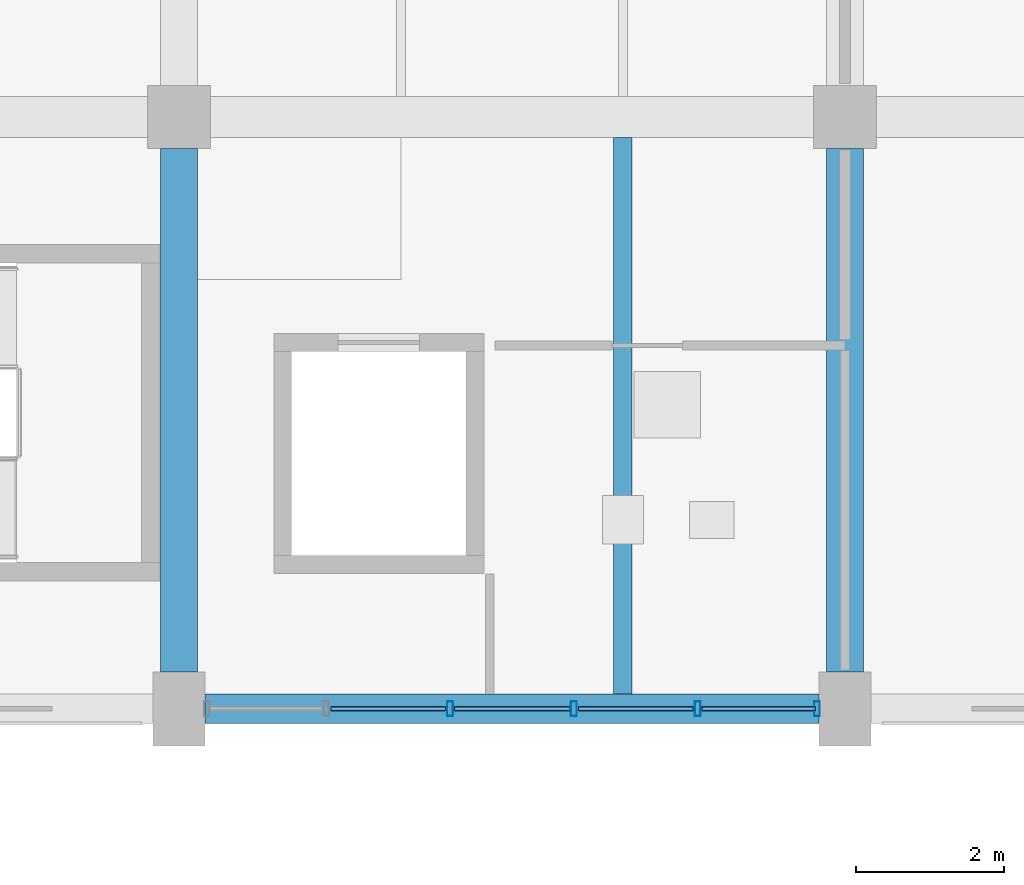
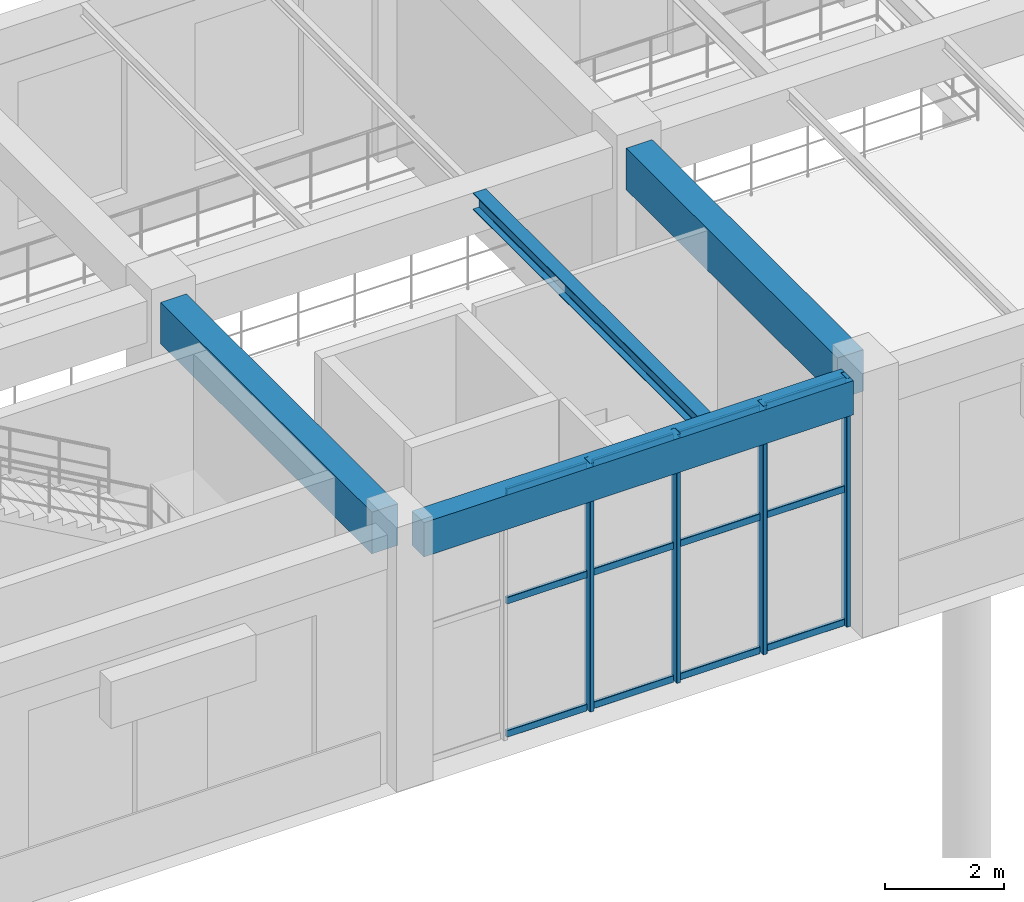
# One storey, part 18 of 121: 16 members, 4 beams, 1 element without a shape of its own.
"""IFC4 building model written with IfcOpenShell, lengths in metres."""

from ifc_helpers import new_model, si_unit, derived_unit, direction, frame, origin, origin_2d, place, context, subcontext, project, spatial, rectangle, hollow_rectangle, i_section, extrude, material, material_profile, profile_set, type_object, element, aggregate, save


model = new_model("IFC4")

# Units and contexts
model_context = context("Model", 3, precision=1e-05, world=origin(), true_north=direction((0.0, 1.0)))
body_context = subcontext(model_context, "Body", "Model", "MODEL_VIEW")
ifc_project = project(units=[si_unit("LENGTHUNIT", "METRE"), si_unit("AREAUNIT", "SQUARE_METRE"), si_unit("VOLUMEUNIT", "CUBIC_METRE"), si_unit("PLANEANGLEUNIT", "RADIAN"), si_unit("MASSUNIT", "GRAM", prefix="KILO"), derived_unit("THERMALTRANSMITTANCEUNIT", [(si_unit("MASSUNIT", "GRAM", prefix="KILO"), 1), (si_unit("TIMEUNIT", "SECOND"), -3), (si_unit("THERMODYNAMICTEMPERATUREUNIT", "KELVIN"), -1)])], contexts=[model_context])

# Site, building, storey
site_placement = place(None, origin())
site = spatial("IfcSite", under=ifc_project, at=site_placement, CompositionType="ELEMENT")
building_placement = place(site_placement, origin())
building = spatial("IfcBuilding", under=site, at=building_placement, Name="Zhenchuan Archway Interchange", CompositionType="ELEMENT")
storey_placement = place(building_placement, origin())
storey = spatial("IfcBuildingStorey", under=building, at=storey_placement, Name="L00", CompositionType="ELEMENT", Elevation=0.0)

# Beams
ifc_material_1 = material(Name="Concrete C40", Category="concrete")
ifc_material_profile_1 = material_profile(ifc_material_1, rectangle(XDim=0.5, YDim=0.85009765625, at=origin_2d()), Name="RC 500x850")
ifc_profile_set_1 = profile_set([ifc_material_profile_1], Name="Concrete C40")
beam_type_1 = type_object("IfcBeamType", Name="BM_RC_500x850", PredefinedType="BEAM", material=ifc_profile_set_1)
for number, where, z_axis, x_axis, name in (
    (1, (18.0, 0.5, 4.655029296875), (0.0, 1.0, 0.0), (-1.0, 0.0, 0.0), "Beam 3:A-B (L00)"),
    (2, (27.0, 0.5, 4.655029296875), (0.0, 1.0, 0.0), (-1.0, 0.0, 0.0), "Beam 4:A-B (L00)"),
):
    element("IfcBeam", number, at=place(storey_placement, frame(where, z_axis=z_axis, x_axis=x_axis)), inside=storey, type_object=beam_type_1, Name=name, PredefinedType="BEAM", context=body_context, shape_type="SweptSolid", body=[
        extrude(rectangle(XDim=0.5, YDim=0.85009765625, at=origin_2d()), origin(), (0.0, 0.0, 1.0), 7.074951171875),
    ])

# Curtain wall, members
ifc_material_2 = material(Name="Anodised Aluminium", Category="aluminium")
curtain_wall_type = type_object("IfcCurtainWallType", Name="CW_UNIT_2", PredefinedType="NOTDEFINED", material=ifc_material_2)
curtain_wall_placement = place(storey_placement, origin())
curtain_wall = element("IfcCurtainWall", 3, at=curtain_wall_placement, inside=storey, type_object=curtain_wall_type, Name="Unitised curtain wall CW:L00:009", PredefinedType="NOTDEFINED")
ifc_material_profile_2 = material_profile(ifc_material_2, hollow_rectangle(XDim=0.080078125, YDim=0.199951171875, WallThickness=0.00439453125, InnerFilletRadius=0.00439453125, OuterFilletRadius=0.009033203125, at=origin_2d()), Name="ALU 200x80x4.5")
ifc_profile_set_2 = profile_set([ifc_material_profile_2], Name="Anodised Aluminium")
member_type_1 = type_object("IfcMemberType", Name="CW_MUL_200", PredefinedType="MULLION", material=ifc_profile_set_2)
member_1_placement = place(storey_placement, frame((26.6220703125, 0.0, 0.0), z_axis=(0.0, 0.0, 1.0), x_axis=(1.0, 0.0, 0.0)))
member_1 = element("IfcMember", 4, at=member_1_placement, type_object=member_type_1, Name="CW:L00:009 mullion 0", PredefinedType="MULLION", context=body_context, shape_type="SweptSolid", body=[
    extrude(hollow_rectangle(XDim=0.080078125, YDim=0.199951171875, WallThickness=0.00439453125, InnerFilletRadius=0.00439453125, OuterFilletRadius=0.009033203125, at=origin_2d()), origin(), (0.0, 0.0, 1.0), 5.080078125),
])
member_2_placement = place(storey_placement, frame((25.00927734375, 0.0, 0.0), z_axis=(0.0, 0.0, 1.0), x_axis=(1.0, 0.0, 0.0)))
member_2 = element("IfcMember", 5, at=member_2_placement, type_object=member_type_1, Name="CW:L00:009 mullion 1", PredefinedType="MULLION", context=body_context, shape_type="SweptSolid", body=[
    extrude(hollow_rectangle(XDim=0.080078125, YDim=0.199951171875, WallThickness=0.00439453125, InnerFilletRadius=0.00439453125, OuterFilletRadius=0.009033203125, at=origin_2d()), origin(), (0.0, 0.0, 1.0), 5.080078125),
])
member_3_placement = place(storey_placement, frame((23.33642578125, 0.0, 0.0), z_axis=(0.0, 0.0, 1.0), x_axis=(1.0, 0.0, 0.0)))
member_3 = element("IfcMember", 6, at=member_3_placement, type_object=member_type_1, Name="CW:L00:009 mullion 2", PredefinedType="MULLION", context=body_context, shape_type="SweptSolid", body=[
    extrude(hollow_rectangle(XDim=0.080078125, YDim=0.199951171875, WallThickness=0.00439453125, InnerFilletRadius=0.00439453125, OuterFilletRadius=0.009033203125, at=origin_2d()), origin(), (0.0, 0.0, 1.0), 5.080078125),
])
member_4_placement = place(storey_placement, frame((21.66357421875, 0.0, 0.0), z_axis=(0.0, 0.0, 1.0), x_axis=(1.0, 0.0, 0.0)))
member_4 = element("IfcMember", 7, at=member_4_placement, type_object=member_type_1, Name="CW:L00:009 mullion 3", PredefinedType="MULLION", context=body_context, shape_type="SweptSolid", body=[
    extrude(hollow_rectangle(XDim=0.080078125, YDim=0.199951171875, WallThickness=0.00439453125, InnerFilletRadius=0.00439453125, OuterFilletRadius=0.009033203125, at=origin_2d()), origin(), (0.0, 0.0, 1.0), 5.080078125),
])
ifc_material_profile_3 = material_profile(ifc_material_2, hollow_rectangle(XDim=0.06005859375, YDim=0.139892578125, WallThickness=0.00341796875, InnerFilletRadius=0.00341796875, OuterFilletRadius=0.007080078125, at=origin_2d()), Name="ALU 140x60x3.5")
ifc_profile_set_3 = profile_set([ifc_material_profile_3], Name="Anodised Aluminium")
member_type_2 = type_object("IfcMemberType", Name="CW_TRN_140", PredefinedType="USERDEFINED", material=ifc_profile_set_3)
member_5_placement = place(storey_placement, frame((26.60205078125, 0.0, 0.06005859375), z_axis=(-1.0, 0.0, 0.0), x_axis=(0.0, -1.0, 0.0)))
member_5 = element("IfcMember", 8, at=member_5_placement, type_object=member_type_2, Name="CW:L00:009 transom 0-1", ObjectType="TRANSOM", PredefinedType="USERDEFINED", context=body_context, shape_type="SweptSolid", body=[
    extrude(hollow_rectangle(XDim=0.06005859375, YDim=0.139892578125, WallThickness=0.00341796875, InnerFilletRadius=0.00341796875, OuterFilletRadius=0.007080078125, at=origin_2d()), origin(), (0.0, 0.0, 1.0), 1.532958984375),
])
member_6_placement = place(storey_placement, frame((26.60205078125, 0.0, 2.782958984375), z_axis=(-1.0, 0.0, 0.0), x_axis=(0.0, -1.0, 0.0)))
member_6 = element("IfcMember", 9, at=member_6_placement, type_object=member_type_2, Name="CW:L00:009 transom 0-2", ObjectType="TRANSOM", PredefinedType="USERDEFINED", context=body_context, shape_type="SweptSolid", body=[
    extrude(hollow_rectangle(XDim=0.06005859375, YDim=0.139892578125, WallThickness=0.00341796875, InnerFilletRadius=0.00341796875, OuterFilletRadius=0.007080078125, at=origin_2d()), origin(), (0.0, 0.0, 1.0), 1.532958984375),
])
member_7_placement = place(storey_placement, frame((26.60205078125, 0.0, 5.0), z_axis=(-1.0, 0.0, 0.0), x_axis=(0.0, -1.0, 0.0)))
member_7 = element("IfcMember", 10, at=member_7_placement, type_object=member_type_2, Name="CW:L00:009 transom 0-3", ObjectType="TRANSOM", PredefinedType="USERDEFINED", context=body_context, shape_type="SweptSolid", body=[
    extrude(hollow_rectangle(XDim=0.06005859375, YDim=0.139892578125, WallThickness=0.00341796875, InnerFilletRadius=0.00341796875, OuterFilletRadius=0.007080078125, at=origin_2d()), origin(), (0.0, 0.0, 1.0), 1.532958984375),
])
member_8_placement = place(storey_placement, frame((24.94921875, 0.0, 0.06005859375), z_axis=(-1.0, 0.0, 0.0), x_axis=(0.0, -1.0, 0.0)))
member_8 = element("IfcMember", 11, at=member_8_placement, type_object=member_type_2, Name="CW:L00:009 transom 1-1", ObjectType="TRANSOM", PredefinedType="USERDEFINED", context=body_context, shape_type="SweptSolid", body=[
    extrude(hollow_rectangle(XDim=0.06005859375, YDim=0.139892578125, WallThickness=0.00341796875, InnerFilletRadius=0.00341796875, OuterFilletRadius=0.007080078125, at=origin_2d()), origin(), (0.0, 0.0, 1.0), 1.552734375),
])
member_9_placement = place(storey_placement, frame((24.94921875, 0.0, 2.782958984375), z_axis=(-1.0, 0.0, 0.0), x_axis=(0.0, -1.0, 0.0)))
member_9 = element("IfcMember", 12, at=member_9_placement, type_object=member_type_2, Name="CW:L00:009 transom 1-2", ObjectType="TRANSOM", PredefinedType="USERDEFINED", context=body_context, shape_type="SweptSolid", body=[
    extrude(hollow_rectangle(XDim=0.06005859375, YDim=0.139892578125, WallThickness=0.00341796875, InnerFilletRadius=0.00341796875, OuterFilletRadius=0.007080078125, at=origin_2d()), origin(), (0.0, 0.0, 1.0), 1.552734375),
])
member_10_placement = place(storey_placement, frame((24.94921875, 0.0, 5.0), z_axis=(-1.0, 0.0, 0.0), x_axis=(0.0, -1.0, 0.0)))
member_10 = element("IfcMember", 13, at=member_10_placement, type_object=member_type_2, Name="CW:L00:009 transom 1-3", ObjectType="TRANSOM", PredefinedType="USERDEFINED", context=body_context, shape_type="SweptSolid", body=[
    extrude(hollow_rectangle(XDim=0.06005859375, YDim=0.139892578125, WallThickness=0.00341796875, InnerFilletRadius=0.00341796875, OuterFilletRadius=0.007080078125, at=origin_2d()), origin(), (0.0, 0.0, 1.0), 1.552734375),
])
member_11_placement = place(storey_placement, frame((23.2763671875, 0.0, 0.06005859375), z_axis=(-1.0, 0.0, 0.0), x_axis=(0.0, -1.0, 0.0)))
member_11 = element("IfcMember", 14, at=member_11_placement, type_object=member_type_2, Name="CW:L00:009 transom 2-1", ObjectType="TRANSOM", PredefinedType="USERDEFINED", context=body_context, shape_type="SweptSolid", body=[
    extrude(hollow_rectangle(XDim=0.06005859375, YDim=0.139892578125, WallThickness=0.00341796875, InnerFilletRadius=0.00341796875, OuterFilletRadius=0.007080078125, at=origin_2d()), origin(), (0.0, 0.0, 1.0), 1.552734375),
])
member_12_placement = place(storey_placement, frame((23.2763671875, 0.0, 2.782958984375), z_axis=(-1.0, 0.0, 0.0), x_axis=(0.0, -1.0, 0.0)))
member_12 = element("IfcMember", 15, at=member_12_placement, type_object=member_type_2, Name="CW:L00:009 transom 2-2", ObjectType="TRANSOM", PredefinedType="USERDEFINED", context=body_context, shape_type="SweptSolid", body=[
    extrude(hollow_rectangle(XDim=0.06005859375, YDim=0.139892578125, WallThickness=0.00341796875, InnerFilletRadius=0.00341796875, OuterFilletRadius=0.007080078125, at=origin_2d()), origin(), (0.0, 0.0, 1.0), 1.552734375),
])
member_13_placement = place(storey_placement, frame((23.2763671875, 0.0, 5.0), z_axis=(-1.0, 0.0, 0.0), x_axis=(0.0, -1.0, 0.0)))
member_13 = element("IfcMember", 16, at=member_13_placement, type_object=member_type_2, Name="CW:L00:009 transom 2-3", ObjectType="TRANSOM", PredefinedType="USERDEFINED", context=body_context, shape_type="SweptSolid", body=[
    extrude(hollow_rectangle(XDim=0.06005859375, YDim=0.139892578125, WallThickness=0.00341796875, InnerFilletRadius=0.00341796875, OuterFilletRadius=0.007080078125, at=origin_2d()), origin(), (0.0, 0.0, 1.0), 1.552734375),
])
member_14_placement = place(storey_placement, frame((21.603515625, 0.0, 0.06005859375), z_axis=(-1.0, 0.0, 0.0), x_axis=(0.0, -1.0, 0.0)))
member_14 = element("IfcMember", 17, at=member_14_placement, type_object=member_type_2, Name="CW:L00:009 transom 3-1", ObjectType="TRANSOM", PredefinedType="USERDEFINED", context=body_context, shape_type="SweptSolid", body=[
    extrude(hollow_rectangle(XDim=0.06005859375, YDim=0.139892578125, WallThickness=0.00341796875, InnerFilletRadius=0.00341796875, OuterFilletRadius=0.007080078125, at=origin_2d()), origin(), (0.0, 0.0, 1.0), 1.552734375),
])
member_15_placement = place(storey_placement, frame((21.603515625, 0.0, 2.782958984375), z_axis=(-1.0, 0.0, 0.0), x_axis=(0.0, -1.0, 0.0)))
member_15 = element("IfcMember", 18, at=member_15_placement, type_object=member_type_2, Name="CW:L00:009 transom 3-2", ObjectType="TRANSOM", PredefinedType="USERDEFINED", context=body_context, shape_type="SweptSolid", body=[
    extrude(hollow_rectangle(XDim=0.06005859375, YDim=0.139892578125, WallThickness=0.00341796875, InnerFilletRadius=0.00341796875, OuterFilletRadius=0.007080078125, at=origin_2d()), origin(), (0.0, 0.0, 1.0), 1.552734375),
])
member_16_placement = place(storey_placement, frame((21.603515625, 0.0, 5.0), z_axis=(-1.0, 0.0, 0.0), x_axis=(0.0, -1.0, 0.0)))
member_16 = element("IfcMember", 19, at=member_16_placement, type_object=member_type_2, Name="CW:L00:009 transom 3-3", ObjectType="TRANSOM", PredefinedType="USERDEFINED", context=body_context, shape_type="SweptSolid", body=[
    extrude(hollow_rectangle(XDim=0.06005859375, YDim=0.139892578125, WallThickness=0.00341796875, InnerFilletRadius=0.00341796875, OuterFilletRadius=0.007080078125, at=origin_2d()), origin(), (0.0, 0.0, 1.0), 1.552734375),
])
aggregate(curtain_wall, [member_1, member_2, member_3, member_4, member_5, member_6, member_7, member_8, member_9, member_10, member_11, member_12, member_13, member_14, member_15, member_16])

# Beams
ifc_material_3 = material(Name="Steel Q355", Category="steel")
ifc_material_profile_4 = material_profile(ifc_material_3, i_section(OverallWidth=0.25, OverallDepth=0.340087890625, WebThickness=0.009033203125, FlangeThickness=0.013916015625, FilletRadius=0.01806640625, at=origin_2d()), Name="HM 340x250")
ifc_profile_set_4 = profile_set([ifc_material_profile_4], Name="Steel Q355")
beam_type_2 = type_object("IfcBeamType", Name="JST_STL_HM340", PredefinedType="JOIST", material=ifc_profile_set_4)
beam_1_placement = place(storey_placement, frame((24.0, 0.199951171875, 4.909912109375), z_axis=(0.0, 1.0, 0.0), x_axis=(-1.0, 0.0, 0.0)))
element("IfcBeam", 20, at=beam_1_placement, inside=storey, type_object=beam_type_2, Name="Secondary joist 3-4/A-B #2 (L00)", PredefinedType="JOIST", context=body_context, shape_type="SweptSolid", body=[
    extrude(i_section(OverallWidth=0.25, OverallDepth=0.340087890625, WebThickness=0.009033203125, FlangeThickness=0.013916015625, FilletRadius=0.01806640625, at=origin_2d()), origin(), (0.0, 0.0, 1.0), 7.525146484375),
])
ifc_material_profile_5 = material_profile(ifc_material_1, rectangle(XDim=0.39990234375, YDim=0.699951171875, at=origin_2d()), Name="RC 400x700")
ifc_profile_set_5 = profile_set([ifc_material_profile_5], Name="Concrete C40")
beam_type_3 = type_object("IfcBeamType", Name="SP_RC_400x700", PredefinedType="SPANDREL", material=ifc_profile_set_5)
beam_2_placement = place(storey_placement, frame((18.35009765625, 0.0, 4.72998046875), z_axis=(1.0, 0.0, 0.0), x_axis=(0.0, 1.0, 0.0)))
element("IfcBeam", 21, at=beam_2_placement, inside=storey, type_object=beam_type_3, Name="Beam A:3-4 (L00)", PredefinedType="SPANDREL", context=body_context, shape_type="SweptSolid", body=[
    extrude(rectangle(XDim=0.39990234375, YDim=0.699951171875, at=origin_2d()), origin(), (0.0, 0.0, 1.0), 8.2998046875),
])

save(model, "model.ifc")
